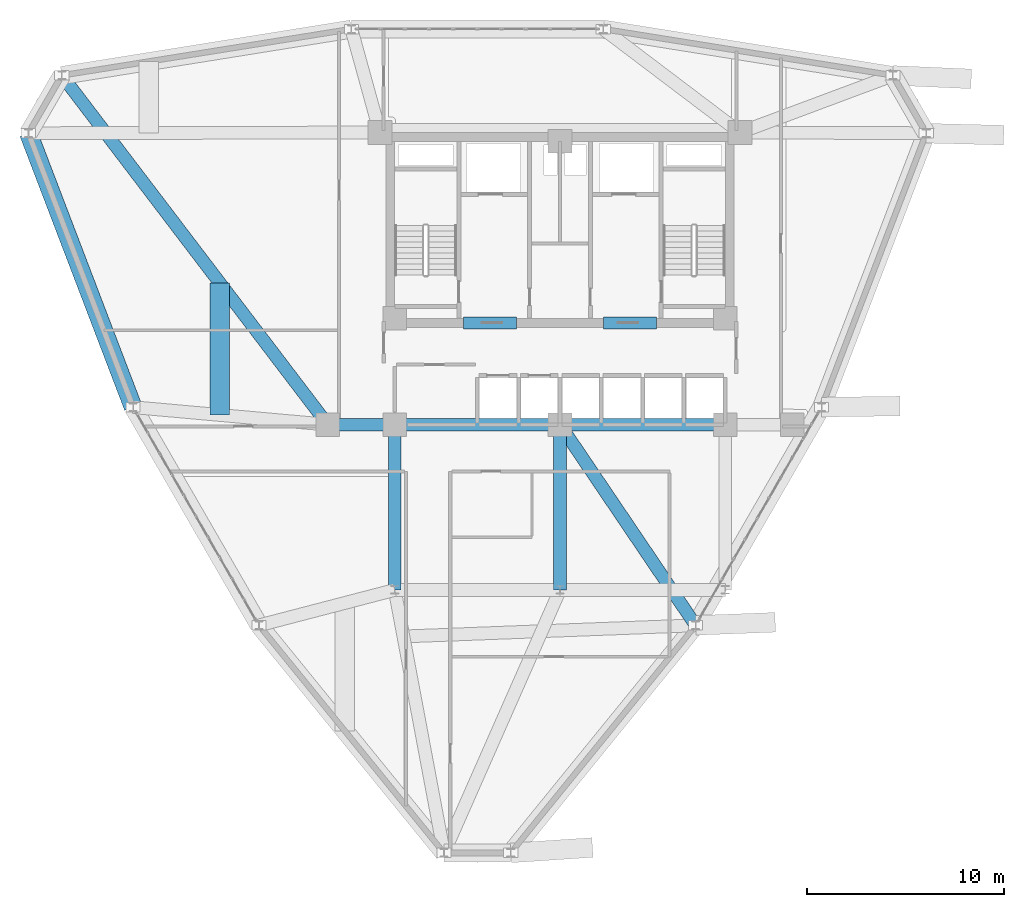
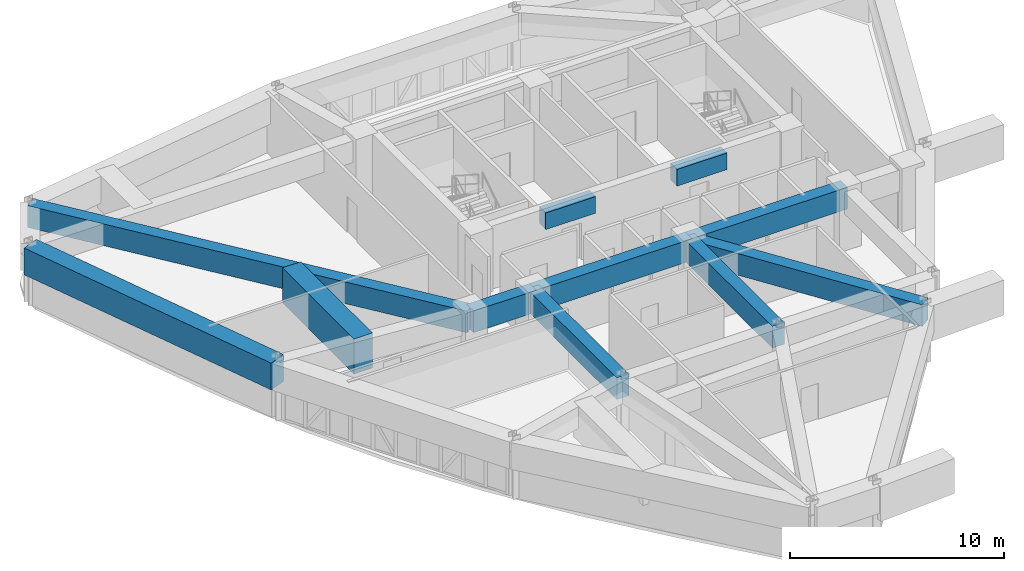
# One storey, part 5 of 15: 11 beams.
"""IFC4 building model written with IfcOpenShell, lengths in metres."""

from ifc_helpers import new_model, si_unit, derived_unit, direction, frame, origin, origin_2d, place, context, subcontext, project, spatial, rectangle, extrude, source, transform, mapped, material, material_profile, profile_set, type_object, element, save


model = new_model("IFC4")

# Units and contexts
model_context = context("Model", 3, precision=1e-05, world=origin(), true_north=direction((0.0, 1.0)))
body_context = subcontext(model_context, "Body", "Model", "MODEL_VIEW")
ifc_project = project(units=[si_unit("LENGTHUNIT", "METRE"), si_unit("AREAUNIT", "SQUARE_METRE"), si_unit("VOLUMEUNIT", "CUBIC_METRE"), si_unit("PLANEANGLEUNIT", "RADIAN"), si_unit("MASSUNIT", "GRAM", prefix="KILO"), derived_unit("THERMALTRANSMITTANCEUNIT", [(si_unit("POWERUNIT", "WATT"), 1), (si_unit("LENGTHUNIT", "METRE"), -2), (si_unit("THERMODYNAMICTEMPERATUREUNIT", "KELVIN"), -1)])], contexts=[model_context])

# Site, building, storey
site_placement = place(None, origin())
site = spatial("IfcSite", under=ifc_project, at=site_placement, CompositionType="ELEMENT")
building_placement = place(site_placement, origin())
building = spatial("IfcBuilding", under=site, at=building_placement, Name="Korsvarv Bourse and Concert Hall", CompositionType="ELEMENT")
storey_placement = place(building_placement, frame((0.0, 0.0, 165.0)))
storey = spatial("IfcBuildingStorey", under=building, at=storey_placement, Name="L42", CompositionType="ELEMENT", Elevation=165.0)

# Beams
ifc_material_1 = material(Name="Concrete C55/67", Category="concrete")
ifc_material_profile_1 = material_profile(ifc_material_1, rectangle(XDim=0.60009765625, YDim=0.949951171875, at=origin_2d()), Name="RC-BM 600x950")
ifc_profile_set_1 = profile_set([ifc_material_profile_1], Name="Concrete C55/67")
beam_type_1 = type_object("IfcBeamType", Name="BM-CPL", PredefinedType="LINTEL", material=ifc_profile_set_1)
shared_shape_1 = source(origin(), body_context, "Body", "SweptSolid", [
    extrude(rectangle(XDim=0.60009765625, YDim=0.949951171875, at=origin_2d()), origin(), (0.0, 0.0, 1.0), 2.699951171875),
])
for number, where, z_axis, x_axis, name in (
    (1, (31.10009765625, 37.574951171875, 2.925048828125), (1.0, 0.0, 0.0), (0.0, 1.0, 0.0), "L42 Core Coupling Beam West"),
    (2, (38.199951171875, 37.574951171875, 2.925048828125), (1.0, 0.0, 0.0), (0.0, 1.0, 0.0), "L42 Core Coupling Beam East"),
):
    element("IfcBeam", number, at=place(storey_placement, frame(where, z_axis=z_axis, x_axis=x_axis)), inside=storey, type_object=beam_type_1, Name=name, PredefinedType="LINTEL", context=body_context, shape_type="MappedRepresentation", body=[
        mapped(shared_shape_1, transform((0.0, 0.0, 0.0), scale=1.0)),
    ])
ifc_material_2 = material(Name="Concrete C50/60", Category="concrete")
ifc_material_profile_2 = material_profile(ifc_material_2, rectangle(XDim=0.64990234375, YDim=1.239990234375, at=origin_2d()), Name="RC-BM 650x1240")
ifc_profile_set_2 = profile_set([ifc_material_profile_2], Name="Concrete C50/60")
beam_type_2 = type_object("IfcBeamType", Name="BM-TR-SPN", PredefinedType="BEAM", material=ifc_profile_set_2)
shared_shape_2 = source(origin(), body_context, "Body", "SweptSolid", [
    extrude(rectangle(XDim=0.64990234375, YDim=1.239990234375, at=origin_2d()), origin(), (0.0, 0.0, 1.0), 3.400146484375),
])
beam_1_placement = place(storey_placement, frame((24.199951171875, 32.39990234375, 2.75), z_axis=(1.0, 0.0, 0.0), x_axis=(0.0, 1.0, 0.0)))
element("IfcBeam", 3, at=beam_1_placement, inside=storey, type_object=beam_type_2, Name="L42 beam B-TRS", PredefinedType="BEAM", context=body_context, shape_type="MappedRepresentation", body=[
    mapped(shared_shape_2, transform((0.0, 0.0, 0.0), scale=1.0)),
])
shared_shape_3 = source(origin(), body_context, "Body", "SweptSolid", [
    extrude(rectangle(XDim=0.64990234375, YDim=1.239990234375, at=origin_2d()), origin(), (0.0, 0.0, 1.0), 8.39990234375),
])
for number, where, z_axis, x_axis, name in (
    (4, (27.60009765625, 32.39990234375, 2.75), (1.0, 0.0, 0.0), (0.0, 1.0, 0.0), "L42 beam B-TRS"),
    (5, (36.0, 32.39990234375, 2.75), (1.0, 0.0, 0.0), (0.0, 1.0, 0.0), "L42 beam B-TRS"),
    (6, (27.60009765625, 24.0, 2.75), (0.0, 1.0, 0.0), (-1.0, 0.0, 0.0), "L42 beam B-TRS"),
    (7, (36.0, 24.0, 2.75), (0.0, 1.0, 0.0), (-1.0, 0.0, 0.0), "L42 beam B-TRS"),
):
    element("IfcBeam", number, at=place(storey_placement, frame(where, z_axis=z_axis, x_axis=x_axis)), inside=storey, type_object=beam_type_2, Name=name, PredefinedType="BEAM", context=body_context, shape_type="MappedRepresentation", body=[
        mapped(shared_shape_3, transform((0.0, 0.0, 0.0), scale=1.0)),
    ])
ifc_material_profile_3 = material_profile(ifc_material_2, rectangle(XDim=0.919921875, YDim=1.530029296875, at=origin_2d()), Name="RC-BM 920x1530")
ifc_profile_set_3 = profile_set([ifc_material_profile_3], Name="Concrete C50/60")
beam_type_3 = type_object("IfcBeamType", Name="BM-TR-154", PredefinedType="BEAM", material=ifc_profile_set_3)
shared_shape_4 = source(origin(), body_context, "Body", "SweptSolid", [
    extrude(rectangle(XDim=0.919921875, YDim=1.530029296875, at=origin_2d()), origin(), (0.0, 0.0, 1.0), 14.90478515625),
])
beam_2_placement = place(storey_placement, frame((8.985595703125, 47.2138671875, 2.60498046875), z_axis=(0.356775123781, -0.934190297023, 0.0), x_axis=(0.934190297023, 0.356775123781, 0.0)))
element("IfcBeam", 8, at=beam_2_placement, inside=storey, type_object=beam_type_3, Name="L42 beam B-TR6", PredefinedType="BEAM", context=body_context, shape_type="MappedRepresentation", body=[
    mapped(shared_shape_4, transform((0.0, 0.0, 0.0), scale=1.0)),
])
shared_shape_5 = source(origin(), body_context, "Body", "SweptSolid", [
    extrude(rectangle(XDim=0.64990234375, YDim=1.239990234375, at=origin_2d()), origin(), (0.0, 0.0, 1.0), 22.3125),
])
beam_3_placement = place(storey_placement, frame((10.681396484375, 50.15087890625, 2.75), z_axis=(0.605873092255, -0.795561308814, 0.0), x_axis=(0.795561308814, 0.605873092255, 0.0)))
element("IfcBeam", 9, at=beam_3_placement, inside=storey, type_object=beam_type_2, Name="L42 beam B-TRS", PredefinedType="BEAM", context=body_context, shape_type="MappedRepresentation", body=[
    mapped(shared_shape_5, transform((0.0, 0.0, 0.0), scale=1.0)),
])
shared_shape_6 = source(origin(), body_context, "Body", "SweptSolid", [
    extrude(rectangle(XDim=0.64990234375, YDim=1.239990234375, at=origin_2d()), origin(), (0.0, 0.0, 1.0), 12.309814453125),
])
beam_4_placement = place(storey_placement, frame((42.895263671875, 22.202392578125, 2.75), z_axis=(-0.560139275933, 0.828398449755, 0.0), x_axis=(-0.828398449755, -0.560139275933, 0.0)))
element("IfcBeam", 10, at=beam_4_placement, inside=storey, type_object=beam_type_2, Name="L42 beam B-TRS", PredefinedType="BEAM", context=body_context, shape_type="MappedRepresentation", body=[
    mapped(shared_shape_6, transform((0.0, 0.0, 0.0), scale=1.0)),
])
ifc_material_3 = material(Name="Concrete C60/75", Category="concrete")
ifc_material_profile_4 = material_profile(ifc_material_3, rectangle(XDim=1.0, YDim=2.0, at=origin_2d()), Name="RC-BM 1000x2000")
ifc_profile_set_4 = profile_set([ifc_material_profile_4], Name="Concrete C60/75")
beam_type_4 = type_object("IfcBeamType", Name="BM-TR1", PredefinedType="BEAM", material=ifc_profile_set_4)
shared_shape_7 = source(origin(), body_context, "Body", "SweptSolid", [
    extrude(rectangle(XDim=1.0, YDim=2.0, at=origin_2d()), origin(), (0.0, 0.0, 1.0), 6.709716796875),
])
beam_5_placement = place(storey_placement, frame((18.71435546875, 32.893310546875, 2.3701171875), z_axis=(0.0, 1.0, 0.0), x_axis=(-1.0, 0.0, 0.0)))
element("IfcBeam", 11, at=beam_5_placement, inside=storey, type_object=beam_type_4, Name="L42 Block-Shift Transverse Transfer Girder 7", PredefinedType="BEAM", context=body_context, shape_type="MappedRepresentation", body=[
    mapped(shared_shape_7, transform((0.0, 0.0, 0.0), scale=1.0)),
])

save(model, "model.ifc")
